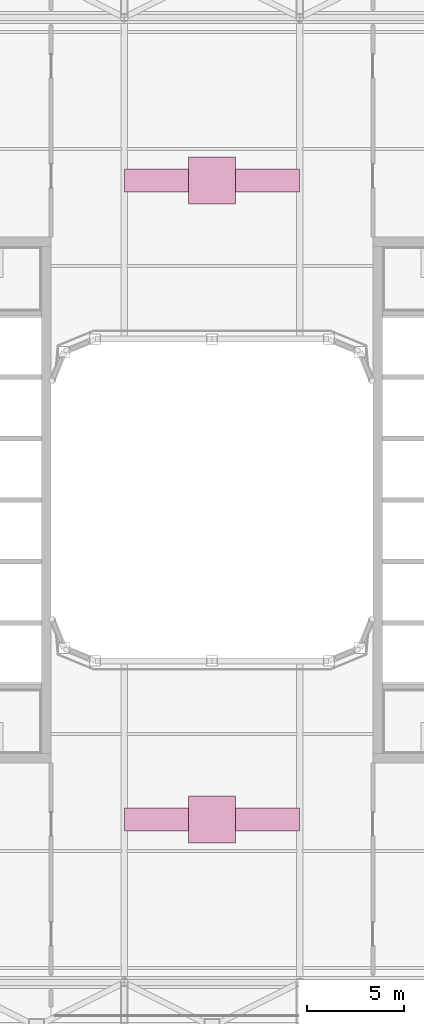
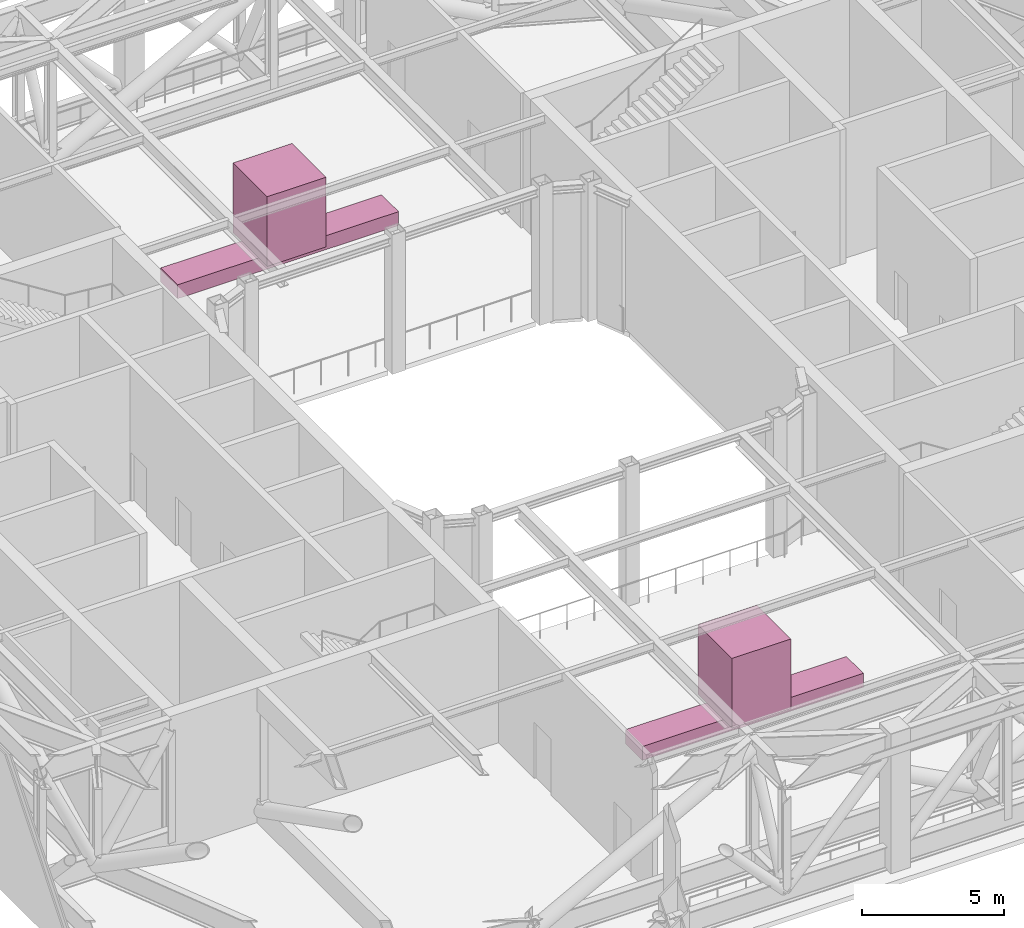
# One storey, part 21 of 21: 4 furnishings.
"""IFC4 building model written with IfcOpenShell, lengths in metres."""

from ifc_helpers import new_model, si_unit, direction, frame, origin, origin_2d, place, context, subcontext, project, spatial, rectangle, extrude, material, type_object, element, save


model = new_model("IFC4")

# Units and contexts
model_context = context("Model", 3, precision=1e-05, world=origin(), true_north=direction((0.0, 1.0)))
body_context = subcontext(model_context, "Body", "Model", "MODEL_VIEW")
ifc_project = project(units=[si_unit("LENGTHUNIT", "METRE"), si_unit("AREAUNIT", "SQUARE_METRE"), si_unit("VOLUMEUNIT", "CUBIC_METRE"), si_unit("PLANEANGLEUNIT", "RADIAN"), si_unit("MASSUNIT", "GRAM", prefix="KILO")], contexts=[model_context])

# Site, building, storey
site_placement = place(None, origin())
site = spatial("IfcSite", under=ifc_project, at=site_placement, CompositionType="ELEMENT")
building_placement = place(site_placement, origin())
building = spatial("IfcBuilding", under=site, at=building_placement, Name="Siwar Civic Tower", CompositionType="ELEMENT")
storey_placement = place(building_placement, frame((0.0, 0.0, 278.199951171875)))
storey = spatial("IfcBuildingStorey", under=building, at=storey_placement, Name="L60", CompositionType="ELEMENT", Elevation=278.199951171875)

# Furnishings
ifc_material_1 = material(Name="Planting soil and foliage")
furnishing_element_type_1 = type_object("IfcFurnishingElementType", Name="ENV-PLANTER", material=ifc_material_1)
for number, where, z_axis, x_axis, name in (
    (1, (0.0, 16.385009765625, 0.0), (0.0, 0.0, 1.0), (1.0, 0.0, 0.0), "PLANTER sky portal N 1"),
    (2, (0.0, -16.385009765625, 0.0), (0.0, 0.0, 1.0), (1.0, 0.0, 0.0), "PLANTER sky portal S 1"),
):
    element("IfcFurnishingElement", number, at=place(storey_placement, frame(where, z_axis=z_axis, x_axis=x_axis)), inside=storey, type_object=furnishing_element_type_1, Name=name, context=body_context, shape_type="SweptSolid", body=[
        extrude(rectangle(XDim=9.0, YDim=1.199951171875, at=origin_2d()), origin(), (0.0, 0.0, 1.0), 0.60009765625),
    ])
ifc_material_2 = material(Name="Planting soil and foliage")
furnishing_element_type_2 = type_object("IfcFurnishingElementType", Name="ENV-TREE", material=ifc_material_2)
for number, where, z_axis, x_axis, name in (
    (3, (0.0, 16.385009765625, 0.60009765625), (0.0, 0.0, 1.0), (1.0, 0.0, 0.0), "PLANTER (TREE) sky portal N 1"),
    (4, (0.0, -16.385009765625, 0.60009765625), (0.0, 0.0, 1.0), (1.0, 0.0, 0.0), "PLANTER (TREE) sky portal S 1"),
):
    element("IfcFurnishingElement", number, at=place(storey_placement, frame(where, z_axis=z_axis, x_axis=x_axis)), inside=storey, type_object=furnishing_element_type_2, Name=name, context=body_context, shape_type="SweptSolid", body=[
        extrude(rectangle(XDim=2.39990234375, YDim=2.39990234375, at=origin_2d()), origin(), (0.0, 0.0, 1.0), 3.0),
    ])

save(model, "model.ifc")
